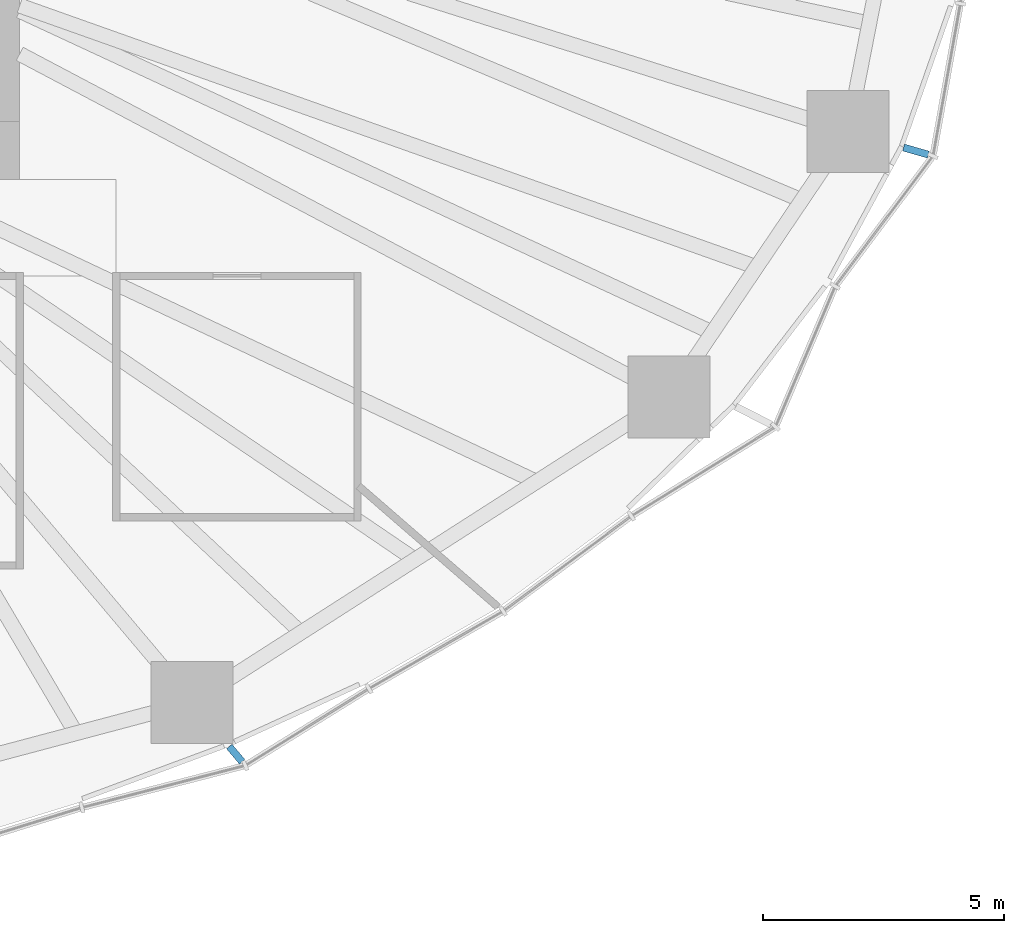
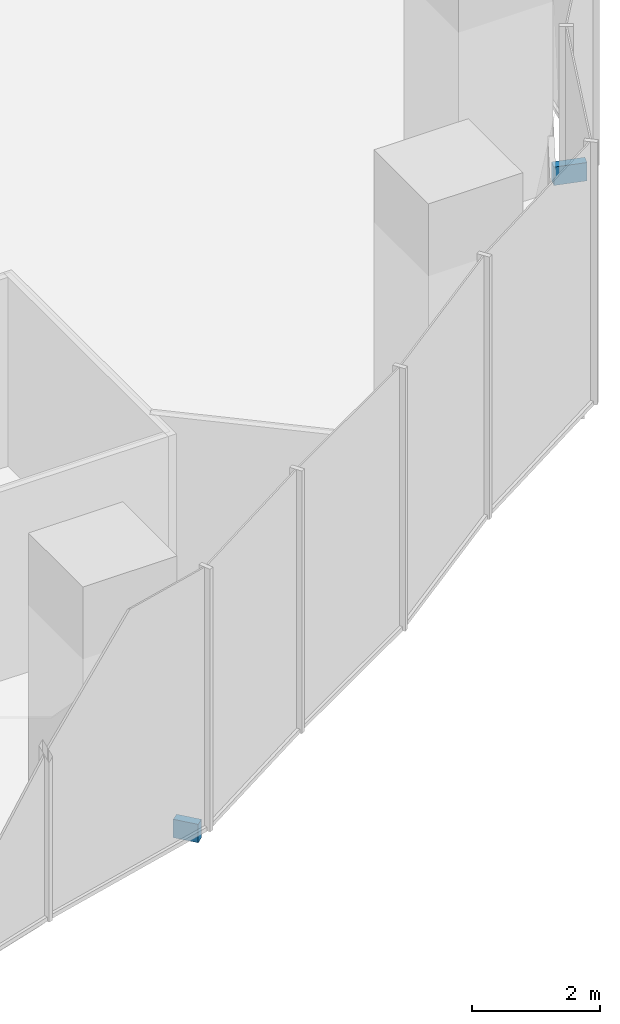
# One storey, part 14 of 19: 2 discrete accessories.
"""IFC4 building model written with IfcOpenShell, lengths in metres."""

from ifc_helpers import new_model, si_unit, direction, frame, origin, origin_2d, place, context, subcontext, project, spatial, rectangle, extrude, material, type_object, element, save


model = new_model("IFC4")

# Units and contexts
model_context = context("Model", 3, precision=1e-05, world=origin(), true_north=direction((0.0, 1.0)))
body_context = subcontext(model_context, "Body", "Model", "MODEL_VIEW")
ifc_project = project(units=[si_unit("LENGTHUNIT", "METRE"), si_unit("AREAUNIT", "SQUARE_METRE"), si_unit("VOLUMEUNIT", "CUBIC_METRE"), si_unit("PLANEANGLEUNIT", "RADIAN"), si_unit("MASSUNIT", "GRAM", prefix="KILO")], contexts=[model_context])

# Site, building, storey
site_placement = place(None, origin())
site = spatial("IfcSite", under=ifc_project, at=site_placement, CompositionType="ELEMENT")
building_placement = place(site_placement, origin())
building = spatial("IfcBuilding", under=site, at=building_placement, Name="Ghaith Harvest Tower", CompositionType="ELEMENT")
storey_placement = place(building_placement, frame((0.0, 0.0, 70.0)))
storey = spatial("IfcBuildingStorey", under=building, at=storey_placement, Name="L14", CompositionType="ELEMENT", Elevation=70.0)

# Discrete accessories
ifc_material_1 = material(Name="Stainless steel grade 1.4401", Category="steel")
discrete_accessory_type_1 = type_object("IfcDiscreteAccessoryType", Name="CURTAIN WALL BRACKET 415", PredefinedType="BRACKET", material=ifc_material_1)
discrete_accessory_1_placement = place(storey_placement, frame((18.475830078125, -21.90966796875, -0.25), z_axis=(0.0, 0.0, 1.0), x_axis=(0.644657240069, -0.764471741025, 0.0)))
element("IfcDiscreteAccessory", 1, at=discrete_accessory_1_placement, inside=storey, type_object=discrete_accessory_type_1, Name="CW-F bracket 1 bay 18 L14", PredefinedType="BRACKET", context=body_context, shape_type="SweptSolid", body=[
    extrude(rectangle(XDim=0.4150390625, YDim=0.14990234375, at=origin_2d()), origin(), (0.0, 0.0, 1.0), 0.35009765625),
])
ifc_material_2 = material(Name="Stainless steel grade 1.4401", Category="steel")
discrete_accessory_type_2 = type_object("IfcDiscreteAccessoryType", Name="CURTAIN WALL BRACKET 535", PredefinedType="BRACKET", material=ifc_material_2)
discrete_accessory_2_placement = place(storey_placement, frame((32.570556640625, -9.41357421875, -0.25), z_axis=(0.0, 0.0, 1.0), x_axis=(0.960680349932, -0.277656739976, 0.0)))
element("IfcDiscreteAccessory", 2, at=discrete_accessory_2_placement, inside=storey, type_object=discrete_accessory_type_2, Name="CW-F bracket 1 bay 20 L14", PredefinedType="BRACKET", context=body_context, shape_type="SweptSolid", body=[
    extrude(rectangle(XDim=0.534912109375, YDim=0.14990234375, at=origin_2d()), origin(), (0.0, 0.0, 1.0), 0.35009765625),
])

save(model, "model.ifc")
